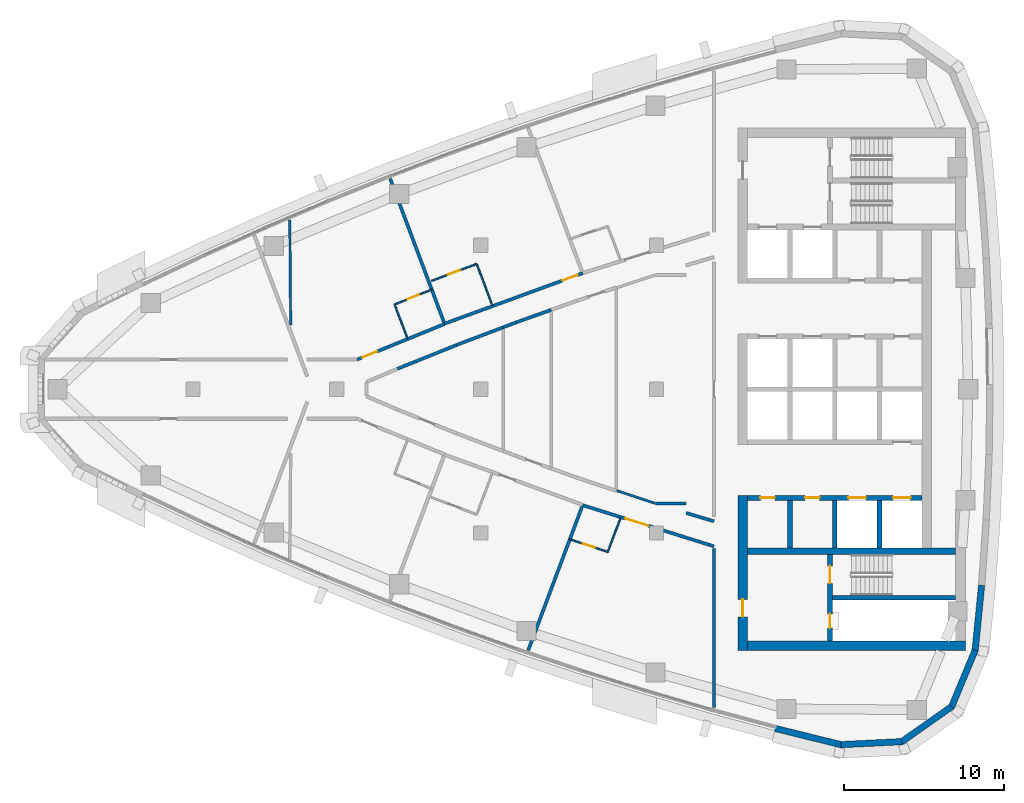
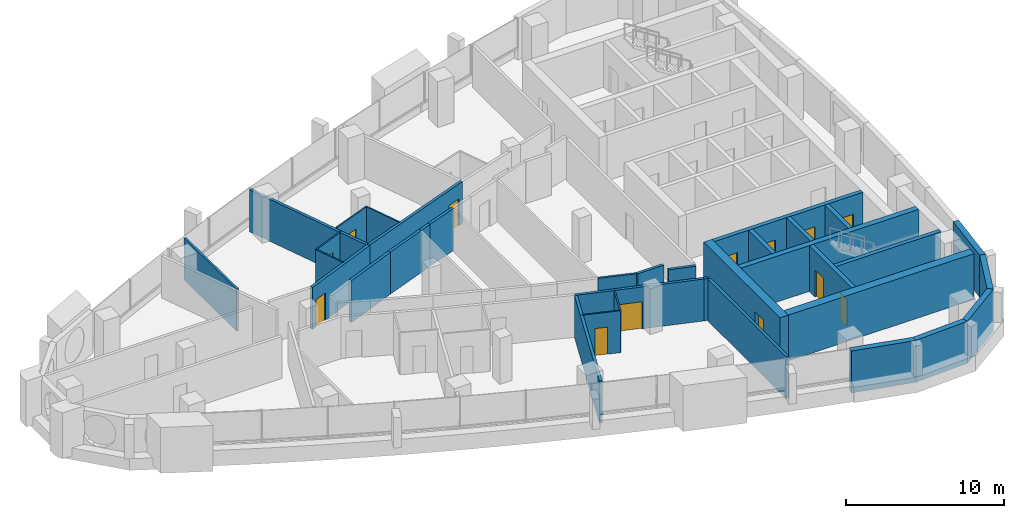
# One storey, part 9 of 15: 35 walls, 13 doors, 13 openings.
"""IFC4 building model written with IfcOpenShell, lengths in metres."""

from ifc_helpers import new_model, si_unit, direction, frame, frame_2d, origin, place, context, subcontext, project, spatial, polyline, rectangle, outline, extrude, material, layer, layer_set, type_object, element, fill, save


model = new_model("IFC4")

# Units and contexts
model_context = context("Model", 3, precision=1e-05, world=origin(), true_north=direction((0.0, 1.0)))
body_context = subcontext(model_context, "Body", "Model", "MODEL_VIEW")
ifc_project = project(units=[si_unit("LENGTHUNIT", "METRE"), si_unit("AREAUNIT", "SQUARE_METRE"), si_unit("VOLUMEUNIT", "CUBIC_METRE"), si_unit("PLANEANGLEUNIT", "RADIAN"), si_unit("MASSUNIT", "GRAM", prefix="KILO")], contexts=[model_context])

# Site, building, storey
site_placement = place(None, origin())
site = spatial("IfcSite", under=ifc_project, at=site_placement, CompositionType="ELEMENT")
building_placement = place(site_placement, origin())
building = spatial("IfcBuilding", under=site, at=building_placement, Name="Ostrand Prow Hotel Tower", CompositionType="ELEMENT")
storey_placement = place(building_placement, frame((0.0, 0.0, 242.10009765625)))
storey = spatial("IfcBuildingStorey", under=building, at=storey_placement, Name="L61", CompositionType="ELEMENT", Elevation=242.10009765625)

# Wall, openings, doors
ifc_material_1 = material(Name="Concrete C50/60", Category="concrete")
ifc_layer_1 = layer(ifc_material_1, 0.300048828125)
ifc_layer_set_1 = layer_set([ifc_layer_1], Name="Concrete C50/60")
wall_type_1 = type_object("IfcWallType", Name="Core wall 300 C50/60", PredefinedType="SHEAR", material=ifc_layer_set_1)
wall_1_placement = place(storey_placement, frame((50.699951171875, -6.800048828125, 0.0), z_axis=(0.0, 0.0, 1.0), x_axis=(1.0, 0.0, 0.0)))
wall_1 = element("IfcWall", 1, at=wall_1_placement, inside=storey, type_object=wall_type_1, Name="Core wall PW-L2-S", PredefinedType="SHEAR", context=body_context, shape_type="SweptSolid", body=[
    extrude(rectangle(XDim=10.900146484375, YDim=0.300048828125, at=frame_2d((5.4501953125, 0.0))), origin(), (0.0, 0.0, 1.0), 3.5498046875),
])
opening_1_placement = place(wall_1_placement, frame((6.300048828125, 0.0, 0.0)))
opening_1 = element("IfcOpeningElement", 2, at=opening_1_placement, cuts=wall_1, Name="Opening LD", PredefinedType="OPENING", context=body_context, shape_type="SweptSolid", body=[
    extrude(rectangle(XDim=1.10009765625, YDim=2.10009765625, at=frame_2d((0.550048828125, 1.050048828125))), frame((0.0, 0.159912109375, 0.0), z_axis=(0.0, -1.0, 0.0), x_axis=(1.0, 0.0, 0.0)), (0.0, 0.0, 1.0), 0.320068359375),
])
opening_2_placement = place(wall_1_placement, frame((9.10009765625, 0.0, 0.0)))
opening_2 = element("IfcOpeningElement", 3, at=opening_2_placement, cuts=wall_1, Name="Opening LD", PredefinedType="OPENING", context=body_context, shape_type="SweptSolid", body=[
    extrude(rectangle(XDim=1.10009765625, YDim=2.10009765625, at=frame_2d((0.550048828125, 1.050048828125))), frame((0.0, 0.159912109375, 0.0), z_axis=(0.0, -1.0, 0.0), x_axis=(1.0, 0.0, 0.0)), (0.0, 0.0, 1.0), 0.320068359375),
])
opening_3_placement = place(wall_1_placement, frame((0.800048828125, 0.0, 0.0)))
opening_3 = element("IfcOpeningElement", 4, at=opening_3_placement, cuts=wall_1, Name="Opening FD2", PredefinedType="OPENING", context=body_context, shape_type="SweptSolid", body=[
    extrude(rectangle(XDim=0.89990234375, YDim=2.10009765625, at=frame_2d((0.449951171875, 1.050048828125))), frame((0.0, 0.159912109375, 0.0), z_axis=(0.0, -1.0, 0.0), x_axis=(1.0, 0.0, 0.0)), (0.0, 0.0, 1.0), 0.320068359375),
])
opening_4_placement = place(wall_1_placement, frame((3.60009765625, 0.0, 0.0)))
opening_4 = element("IfcOpeningElement", 5, at=opening_4_placement, cuts=wall_1, Name="Opening FD2", PredefinedType="OPENING", context=body_context, shape_type="SweptSolid", body=[
    extrude(rectangle(XDim=0.89990234375, YDim=2.10009765625, at=frame_2d((0.449951171875, 1.050048828125))), frame((0.0, 0.159912109375, 0.0), z_axis=(0.0, -1.0, 0.0), x_axis=(1.0, 0.0, 0.0)), (0.0, 0.0, 1.0), 0.320068359375),
])
ifc_material_2 = material(Name="Steel fire door", Category="steel")
door_type_1 = type_object("IfcDoorType", Name="Fire door 900 EI120", OperationType="SINGLE_SWING_LEFT", PredefinedType="DOOR", material=ifc_material_2)
door_1_placement = place(opening_3_placement, origin())
door_1 = element("IfcDoor", 6, at=door_1_placement, inside=storey, type_object=door_type_1, Name="DOOR", OperationType="SINGLE_SWING_LEFT", OverallHeight=2.10009765625, OverallWidth=0.89990234375, PredefinedType="DOOR", context=body_context, shape_type="SweptSolid", body=[
    extrude(rectangle(XDim=0.89990234375, YDim=2.10009765625, at=frame_2d((0.449951171875, 1.050048828125))), frame((0.0, 0.02490234375, 0.0), z_axis=(0.0, -1.0, 0.0), x_axis=(1.0, 0.0, 0.0)), (0.0, 0.0, 1.0), 0.050048828125),
])
fill(opening_3, door_1)
door_2_placement = place(opening_4_placement, origin())
door_2 = element("IfcDoor", 7, at=door_2_placement, inside=storey, type_object=door_type_1, Name="DOOR", OperationType="SINGLE_SWING_LEFT", OverallHeight=2.10009765625, OverallWidth=0.89990234375, PredefinedType="DOOR", context=body_context, shape_type="SweptSolid", body=[
    extrude(rectangle(XDim=0.89990234375, YDim=2.10009765625, at=frame_2d((0.449951171875, 1.050048828125))), frame((0.0, 0.02490234375, 0.0), z_axis=(0.0, -1.0, 0.0), x_axis=(1.0, 0.0, 0.0)), (0.0, 0.0, 1.0), 0.050048828125),
])
fill(opening_4, door_2)
ifc_material_3 = material(Name="Stainless steel door", Category="steel")
door_type_2 = type_object("IfcDoorType", Name="Lift landing door 1100", OperationType="DOUBLE_DOOR_SLIDING", PredefinedType="DOOR", material=ifc_material_3)
door_3_placement = place(opening_1_placement, origin())
door_3 = element("IfcDoor", 8, at=door_3_placement, inside=storey, type_object=door_type_2, Name="LIFT LANDING DOOR", OperationType="DOUBLE_DOOR_SLIDING", OverallHeight=2.10009765625, OverallWidth=1.10009765625, PredefinedType="DOOR", context=body_context, shape_type="SweptSolid", body=[
    extrude(rectangle(XDim=1.10009765625, YDim=2.10009765625, at=frame_2d((0.550048828125, 1.050048828125))), frame((0.0, 0.02490234375, 0.0), z_axis=(0.0, -1.0, 0.0), x_axis=(1.0, 0.0, 0.0)), (0.0, 0.0, 1.0), 0.050048828125),
])
fill(opening_1, door_3)
door_4_placement = place(opening_2_placement, origin())
door_4 = element("IfcDoor", 9, at=door_4_placement, inside=storey, type_object=door_type_2, Name="LIFT LANDING DOOR", OperationType="DOUBLE_DOOR_SLIDING", OverallHeight=2.10009765625, OverallWidth=1.10009765625, PredefinedType="DOOR", context=body_context, shape_type="SweptSolid", body=[
    extrude(rectangle(XDim=1.10009765625, YDim=2.10009765625, at=frame_2d((0.550048828125, 1.050048828125))), frame((0.0, 0.02490234375, 0.0), z_axis=(0.0, -1.0, 0.0), x_axis=(1.0, 0.0, 0.0)), (0.0, 0.0, 1.0), 0.050048828125),
])
fill(opening_2, door_4)

# Walls
for number, where, z_axis, x_axis, name in (
    (10, (53.35009765625, -9.949951171875, 0.0), (0.0, 0.0, 1.0), (0.0, 1.0, 0.0), "Core wall PW-R1-SA"),
    (11, (56.14990234375, -9.949951171875, 0.0), (0.0, 0.0, 1.0), (0.0, 1.0, 0.0), "Core wall PW-R2-SA"),
    (12, (58.949951171875, -9.949951171875, 0.0), (0.0, 0.0, 1.0), (0.0, 1.0, 0.0), "Core wall PW-R3-SA"),
):
    element("IfcWall", number, at=place(storey_placement, frame(where, z_axis=z_axis, x_axis=x_axis)), inside=storey, type_object=wall_type_1, Name=name, PredefinedType="SHEAR", context=body_context, shape_type="SweptSolid", body=[
        extrude(rectangle(XDim=3.0, YDim=0.300048828125, at=frame_2d((1.5, 0.0))), origin(), (0.0, 0.0, 1.0), 3.5498046875),
    ])

# Wall, openings, doors
wall_2_placement = place(storey_placement, frame((55.85009765625, -15.75, 0.0), z_axis=(0.0, 0.0, 1.0), x_axis=(0.0, 1.0, 0.0)))
wall_2 = element("IfcWall", 13, at=wall_2_placement, inside=storey, type_object=wall_type_1, Name="Core wall PW-VS", PredefinedType="SHEAR", context=body_context, shape_type="SweptSolid", body=[
    extrude(rectangle(XDim=5.39990234375, YDim=0.300048828125, at=frame_2d((2.699951171875, 0.0))), origin(), (0.0, 0.0, 1.0), 3.5498046875),
])
opening_5_placement = place(wall_2_placement, frame((3.60009765625, 0.0, 0.0)))
opening_5 = element("IfcOpeningElement", 14, at=opening_5_placement, cuts=wall_2, Name="Opening FD1", PredefinedType="OPENING", context=body_context, shape_type="SweptSolid", body=[
    extrude(rectangle(XDim=1.10009765625, YDim=2.10009765625, at=frame_2d((0.550048828125, 1.050048828125))), frame((0.0, 0.159912109375, 0.0), z_axis=(0.0, -1.0, 0.0), x_axis=(1.0, 0.0, 0.0)), (0.0, 0.0, 1.0), 0.320068359375),
])
opening_6_placement = place(wall_2_placement, frame((0.800048828125, 0.0, 0.0)))
opening_6 = element("IfcOpeningElement", 15, at=opening_6_placement, cuts=wall_2, Name="Opening FD2", PredefinedType="OPENING", context=body_context, shape_type="SweptSolid", body=[
    extrude(rectangle(XDim=0.89990234375, YDim=2.10009765625, at=frame_2d((0.449951171875, 1.050048828125))), frame((0.0, 0.159912109375, 0.0), z_axis=(0.0, -1.0, 0.0), x_axis=(1.0, 0.0, 0.0)), (0.0, 0.0, 1.0), 0.320068359375),
])
ifc_material_4 = material(Name="Steel fire door", Category="steel")
door_type_3 = type_object("IfcDoorType", Name="Fire door 1100 EI120", OperationType="SINGLE_SWING_RIGHT", PredefinedType="DOOR", material=ifc_material_4)
door_5_placement = place(opening_5_placement, origin())
door_5 = element("IfcDoor", 16, at=door_5_placement, inside=storey, type_object=door_type_3, Name="FIRE DOOR", OperationType="SINGLE_SWING_RIGHT", OverallHeight=2.10009765625, OverallWidth=1.10009765625, PredefinedType="DOOR", context=body_context, shape_type="SweptSolid", body=[
    extrude(rectangle(XDim=1.10009765625, YDim=2.10009765625, at=frame_2d((0.550048828125, 1.050048828125))), frame((0.0, 0.02490234375, 0.0), z_axis=(0.0, -1.0, 0.0), x_axis=(1.0, 0.0, 0.0)), (0.0, 0.0, 1.0), 0.050048828125),
])
fill(opening_5, door_5)
door_6_placement = place(opening_6_placement, origin())
door_6 = element("IfcDoor", 17, at=door_6_placement, inside=storey, type_object=door_type_1, Name="FIRE DOOR", OperationType="SINGLE_SWING_LEFT", OverallHeight=2.10009765625, OverallWidth=0.89990234375, PredefinedType="DOOR", context=body_context, shape_type="SweptSolid", body=[
    extrude(rectangle(XDim=0.89990234375, YDim=2.10009765625, at=frame_2d((0.449951171875, 1.050048828125))), frame((0.0, 0.02490234375, 0.0), z_axis=(0.0, -1.0, 0.0), x_axis=(1.0, 0.0, 0.0)), (0.0, 0.0, 1.0), 0.050048828125),
])
fill(opening_6, door_6)

# Walls
wall_3_placement = place(storey_placement, frame((56.0, -13.050048828125, 0.0), z_axis=(0.0, 0.0, 1.0), x_axis=(1.0, 0.0, 0.0)))
element("IfcWall", 18, at=wall_3_placement, inside=storey, type_object=wall_type_1, Name="Core wall PW-ST2R", PredefinedType="SHEAR", context=body_context, shape_type="SweptSolid", body=[
    extrude(rectangle(XDim=7.719970703125, YDim=0.300048828125, at=frame_2d((3.85986328125, 0.0))), origin(), (0.0, 0.0, 1.0), 3.5498046875),
])
ifc_material_5 = material(Name="Concrete C50/60", Category="concrete")
ifc_layer_2 = layer(ifc_material_5, 0.39990234375)
ifc_layer_set_2 = layer_set([ifc_layer_2], Name="Concrete C50/60")
wall_type_2 = type_object("IfcWallType", Name="Core wall 400 C50/60", PredefinedType="SHEAR", material=ifc_layer_set_2)
wall_4_placement = place(storey_placement, frame((50.699951171875, -10.14990234375, 0.0), z_axis=(0.0, 0.0, 1.0), x_axis=(1.0, 0.0, 0.0)))
element("IfcWall", 19, at=wall_4_placement, inside=storey, type_object=wall_type_2, Name="Core wall PW-BS", PredefinedType="SHEAR", context=body_context, shape_type="SweptSolid", body=[
    extrude(rectangle(XDim=13.02001953125, YDim=0.39990234375, at=frame_2d((6.510009765625, 0.0))), origin(), (0.0, 0.0, 1.0), 3.5498046875),
])

# Wall, opening, door
ifc_material_6 = material(Name="Concrete C50/60", Category="concrete")
ifc_layer_3 = layer(ifc_material_6, 0.60009765625)
ifc_layer_set_3 = layer_set([ifc_layer_3], Name="Concrete C50/60")
wall_type_3 = type_object("IfcWallType", Name="Core wall 600 C50/60", PredefinedType="SHEAR", material=ifc_layer_set_3)
wall_5_placement = place(storey_placement, frame((50.39990234375, -16.35009765625, 0.0), z_axis=(0.0, 0.0, 1.0), x_axis=(0.0, 1.0, 0.0)))
wall_5 = element("IfcWall", 20, at=wall_5_placement, inside=storey, type_object=wall_type_3, Name="Core wall CW-W-S", PredefinedType="SHEAR", context=body_context, shape_type="SweptSolid", body=[
    extrude(rectangle(XDim=9.7001953125, YDim=0.60009765625, at=frame_2d((4.85009765625, 0.0))), origin(), (0.0, 0.0, 1.0), 3.5498046875),
])
opening_7_placement = place(wall_5_placement, frame((2.10009765625, 0.0, 0.0)))
opening_7 = element("IfcOpeningElement", 21, at=opening_7_placement, cuts=wall_5, Name="Opening FD1", PredefinedType="OPENING", context=body_context, shape_type="SweptSolid", body=[
    extrude(rectangle(XDim=1.10009765625, YDim=2.10009765625, at=frame_2d((0.550048828125, 1.050048828125))), frame((0.0, 0.31005859375, 0.0), z_axis=(0.0, -1.0, 0.0), x_axis=(1.0, 0.0, 0.0)), (0.0, 0.0, 1.0), 0.6201171875),
])
door_7_placement = place(opening_7_placement, origin())
door_7 = element("IfcDoor", 22, at=door_7_placement, inside=storey, type_object=door_type_3, Name="FIRE DOOR", OperationType="SINGLE_SWING_RIGHT", OverallHeight=2.10009765625, OverallWidth=1.10009765625, PredefinedType="DOOR", context=body_context, shape_type="SweptSolid", body=[
    extrude(rectangle(XDim=1.10009765625, YDim=2.10009765625, at=frame_2d((0.550048828125, 1.050048828125))), frame((0.0, 0.02490234375, 0.0), z_axis=(0.0, -1.0, 0.0), x_axis=(1.0, 0.0, 0.0)), (0.0, 0.0, 1.0), 0.050048828125),
])
fill(opening_7, door_7)

# Wall
wall_6_placement = place(storey_placement, frame((50.699951171875, -16.050048828125, 0.0), z_axis=(0.0, 0.0, 1.0), x_axis=(1.0, 0.0, 0.0)))
element("IfcWall", 23, at=wall_6_placement, inside=storey, type_object=wall_type_3, Name="Core wall CW-S", PredefinedType="SHEAR", context=body_context, shape_type="SweptSolid", body=[
    extrude(rectangle(XDim=13.6201171875, YDim=0.60009765625, at=frame_2d((6.81005859375, 0.0))), origin(), (0.0, 0.0, 1.0), 3.5498046875),
])

# Wall, opening, door
ifc_material_7 = material(Name="Plasterboard partition")
ifc_layer_4 = layer(ifc_material_7, 0.10009765625)
ifc_layer_set_4 = layer_set([ifc_layer_4], Name="Plasterboard partition")
wall_type_4 = type_object("IfcWallType", Name="Partition 100 bathroom wall", PredefinedType="PARTITIONING", material=ifc_layer_set_4)
wall_7_placement = place(storey_placement, frame((28.617919921875, 5.301025390625, 0.0), z_axis=(0.0, 0.0, 1.0), x_axis=(0.92761232595, 0.373544338394, 0.0)))
wall_7 = element("IfcWall", 24, at=wall_7_placement, inside=storey, type_object=wall_type_4, Name="BATHROOM WALL", PredefinedType="PARTITIONING", context=body_context, shape_type="SweptSolid", body=[
    extrude(rectangle(XDim=2.50048828125, YDim=0.10009765625, at=frame_2d((1.250244140625, 0.0))), origin(), (0.0, 0.0, 1.0), 3.25),
])
opening_8_placement = place(wall_7_placement, frame((0.85009765625, 0.0, 0.0)))
opening_8 = element("IfcOpeningElement", 25, at=opening_8_placement, cuts=wall_7, Name="Opening D2", PredefinedType="OPENING", context=body_context, shape_type="SweptSolid", body=[
    extrude(rectangle(XDim=0.800048828125, YDim=2.10009765625, at=frame_2d((0.39990234375, 1.050048828125))), frame((0.0, 0.06005859375, 0.0), z_axis=(0.0, -1.0, 0.0), x_axis=(1.0, 0.0, 0.0)), (0.0, 0.0, 1.0), 0.1201171875),
])
ifc_material_8 = material(Name="Timber door leaf", Category="wood")
door_type_4 = type_object("IfcDoorType", Name="Bathroom door 800", OperationType="SINGLE_SWING_LEFT", PredefinedType="DOOR", material=ifc_material_8)
door_8_placement = place(opening_8_placement, origin())
door_8 = element("IfcDoor", 26, at=door_8_placement, inside=storey, type_object=door_type_4, Name="DOOR", OperationType="SINGLE_SWING_LEFT", OverallHeight=2.10009765625, OverallWidth=0.800048828125, PredefinedType="DOOR", context=body_context, shape_type="SweptSolid", body=[
    extrude(rectangle(XDim=0.800048828125, YDim=2.10009765625, at=frame_2d((0.39990234375, 1.050048828125))), frame((0.0, 0.02490234375, 0.0), z_axis=(0.0, -1.0, 0.0), x_axis=(1.0, 0.0, 0.0)), (0.0, 0.0, 1.0), 0.050048828125),
])
fill(opening_8, door_8)

# Wall
wall_8_placement = place(storey_placement, frame((29.41748046875, 3.168212890625, 0.0), z_axis=(0.0, 0.0, 1.0), x_axis=(-0.351064703731, 0.936351202164, 0.0)))
element("IfcWall", 27, at=wall_8_placement, inside=storey, type_object=wall_type_4, Name="BATHROOM WALL", PredefinedType="PARTITIONING", context=body_context, shape_type="SweptSolid", body=[
    extrude(rectangle(XDim=2.277587890625, YDim=0.10009765625, at=frame_2d((1.138671875, 0.0))), origin(), (0.0, 0.0, 1.0), 3.25),
])

# Wall, opening, door
wall_9_placement = place(storey_placement, frame((30.935302734375, 6.773193359375, 0.0), z_axis=(0.0, 0.0, 1.0), x_axis=(0.934929871592, 0.354832545302, 0.0)))
wall_9 = element("IfcWall", 28, at=wall_9_placement, inside=storey, type_object=wall_type_4, Name="BATHROOM WALL", PredefinedType="PARTITIONING", context=body_context, shape_type="SweptSolid", body=[
    extrude(rectangle(XDim=3.012939453125, YDim=0.10009765625, at=frame_2d((1.50634765625, 0.0))), origin(), (0.0, 0.0, 1.0), 3.25),
])
opening_9_placement = place(wall_9_placement, frame((1.10009765625, 0.0, 0.0)))
opening_9 = element("IfcOpeningElement", 29, at=opening_9_placement, cuts=wall_9, Name="Opening D2", PredefinedType="OPENING", context=body_context, shape_type="SweptSolid", body=[
    extrude(rectangle(XDim=0.800048828125, YDim=2.10009765625, at=frame_2d((0.39990234375, 1.050048828125))), frame((0.0, 0.06005859375, 0.0), z_axis=(0.0, -1.0, 0.0), x_axis=(1.0, 0.0, 0.0)), (0.0, 0.0, 1.0), 0.1201171875),
])
door_9_placement = place(opening_9_placement, origin())
door_9 = element("IfcDoor", 30, at=door_9_placement, inside=storey, type_object=door_type_4, Name="DOOR", OperationType="SINGLE_SWING_LEFT", OverallHeight=2.10009765625, OverallWidth=0.800048828125, PredefinedType="DOOR", context=body_context, shape_type="SweptSolid", body=[
    extrude(rectangle(XDim=0.800048828125, YDim=2.10009765625, at=frame_2d((0.39990234375, 1.050048828125))), frame((0.0, 0.02490234375, 0.0), z_axis=(0.0, -1.0, 0.0), x_axis=(1.0, 0.0, 0.0)), (0.0, 0.0, 1.0), 0.050048828125),
])
fill(opening_9, door_9)

# Walls
wall_10_placement = place(storey_placement, frame((33.75244140625, 7.84228515625, 0.0), z_axis=(0.0, 0.0, 1.0), x_axis=(0.351113807562, -0.936332790272, 0.0)))
element("IfcWall", 31, at=wall_10_placement, inside=storey, type_object=wall_type_4, Name="BATHROOM WALL", PredefinedType="PARTITIONING", context=body_context, shape_type="SweptSolid", body=[
    extrude(rectangle(XDim=2.777099609375, YDim=0.10009765625, at=frame_2d((1.388671875, 0.0))), origin(), (0.0, 0.0, 1.0), 3.25),
])
wall_11_placement = place(storey_placement, frame((42.75146484375, -8.052490234375, 0.0), z_axis=(0.0, 0.0, 1.0), x_axis=(-0.351146927505, -0.936320370014, 0.0)))
element("IfcWall", 32, at=wall_11_placement, inside=storey, type_object=wall_type_4, Name="BATHROOM WALL", PredefinedType="PARTITIONING", context=body_context, shape_type="SweptSolid", body=[
    extrude(rectangle(XDim=2.2783203125, YDim=0.10009765625, at=frame_2d((1.13916015625, 0.0))), origin(), (0.0, 0.0, 1.0), 3.25),
])

# Wall, opening, door
wall_12_placement = place(storey_placement, frame((41.951416015625, -10.18603515625, 0.0), z_axis=(0.0, 0.0, 1.0), x_axis=(-0.948468383404, 0.316871781141, 0.0)))
wall_12 = element("IfcWall", 33, at=wall_12_placement, inside=storey, type_object=wall_type_4, Name="BATHROOM WALL", PredefinedType="PARTITIONING", context=body_context, shape_type="SweptSolid", body=[
    extrude(rectangle(XDim=2.501708984375, YDim=0.10009765625, at=frame_2d((1.2509765625, 0.0))), origin(), (0.0, 0.0, 1.0), 3.25),
])
opening_10_placement = place(wall_12_placement, frame((0.85009765625, 0.0, 0.0)))
opening_10 = element("IfcOpeningElement", 34, at=opening_10_placement, cuts=wall_12, Name="Opening D2", PredefinedType="OPENING", context=body_context, shape_type="SweptSolid", body=[
    extrude(rectangle(XDim=0.800048828125, YDim=2.10009765625, at=frame_2d((0.39990234375, 1.050048828125))), frame((0.0, 0.06005859375, 0.0), z_axis=(0.0, -1.0, 0.0), x_axis=(1.0, 0.0, 0.0)), (0.0, 0.0, 1.0), 0.1201171875),
])
door_10_placement = place(opening_10_placement, origin())
door_10 = element("IfcDoor", 35, at=door_10_placement, inside=storey, type_object=door_type_4, Name="DOOR", OperationType="SINGLE_SWING_LEFT", OverallHeight=2.10009765625, OverallWidth=0.800048828125, PredefinedType="DOOR", context=body_context, shape_type="SweptSolid", body=[
    extrude(rectangle(XDim=0.800048828125, YDim=2.10009765625, at=frame_2d((0.39990234375, 1.050048828125))), frame((0.0, 0.02490234375, 0.0), z_axis=(0.0, -1.0, 0.0), x_axis=(1.0, 0.0, 0.0)), (0.0, 0.0, 1.0), 0.050048828125),
])
fill(opening_10, door_10)

# Walls
ifc_material_9 = material(Name="Plasterboard partition")
ifc_layer_5 = layer(ifc_material_9, 0.14990234375)
ifc_layer_set_5 = layer_set([ifc_layer_5], Name="Plasterboard partition")
wall_type_5 = type_object("IfcWallType", Name="Partition 150 room partition", PredefinedType="PARTITIONING", material=ifc_layer_set_5)
wall_13_placement = place(storey_placement, frame((22.057373046875, 10.577880859375, 0.0), z_axis=(0.0, 0.0, 1.0), x_axis=(0.008379594055, -0.999964890585, 0.0)))
element("IfcWall", 36, at=wall_13_placement, inside=storey, type_object=wall_type_5, Name="ROOM PARTITION", PredefinedType="PARTITIONING", context=body_context, shape_type="SweptSolid", body=[
    extrude(rectangle(XDim=6.555419921875, YDim=0.14990234375, at=frame_2d((3.27783203125, 0.0))), origin(), (0.0, 0.0, 1.0), 3.25),
])
wall_14_placement = place(storey_placement, frame((44.8955078125, -7.132568359375, 0.0), z_axis=(0.0, 0.0, 1.0), x_axis=(-0.94991890936, 0.312496505006, 0.0)))
element("IfcWall", 37, at=wall_14_placement, inside=storey, type_object=wall_type_5, Name="ROOM PARTITION", PredefinedType="PARTITIONING", context=body_context, shape_type="SweptSolid", body=[
    extrude(rectangle(XDim=2.49462890625, YDim=0.14990234375, at=frame_2d((1.247314453125, 0.0))), origin(), (0.0, 0.0, 1.0), 3.25),
])

# Wall, opening, door
ifc_material_10 = material(Name="Plasterboard partition")
ifc_layer_6 = layer(ifc_material_10, 0.199951171875)
ifc_layer_set_6 = layer_set([ifc_layer_6], Name="Plasterboard partition")
wall_type_6 = type_object("IfcWallType", Name="Partition 200 corridor wall", PredefinedType="PARTITIONING", material=ifc_layer_set_6)
wall_15_placement = place(storey_placement, frame((26.265869140625, 1.85009765625, 0.0), z_axis=(0.0, 0.0, 1.0), x_axis=(0.926191125494, 0.377054371486, 0.0)))
wall_15 = element("IfcWall", 38, at=wall_15_placement, inside=storey, type_object=wall_type_6, Name="CORRIDOR WALL", PredefinedType="PARTITIONING", context=body_context, shape_type="SweptSolid", body=[
    extrude(rectangle(XDim=5.916259765625, YDim=0.199951171875, at=frame_2d((2.9580078125, 0.0))), origin(), (0.0, 0.0, 1.0), 3.25),
])
opening_11_placement = place(wall_15_placement, frame((0.35009765625, 0.0, 0.0)))
opening_11 = element("IfcOpeningElement", 39, at=opening_11_placement, cuts=wall_15, Name="Opening D1R", PredefinedType="OPENING", context=body_context, shape_type="SweptSolid", body=[
    extrude(rectangle(XDim=1.0, YDim=2.10009765625, at=frame_2d((0.5, 1.050048828125))), frame((0.0, 0.10986328125, 0.0), z_axis=(0.0, -1.0, 0.0), x_axis=(1.0, 0.0, 0.0)), (0.0, 0.0, 1.0), 0.219970703125),
])
ifc_material_11 = material(Name="Timber door leaf", Category="wood")
door_type_5 = type_object("IfcDoorType", Name="Guest room door 1000 right", OperationType="SINGLE_SWING_RIGHT", PredefinedType="DOOR", material=ifc_material_11)
door_11_placement = place(opening_11_placement, origin())
door_11 = element("IfcDoor", 40, at=door_11_placement, inside=storey, type_object=door_type_5, Name="DOOR", OperationType="SINGLE_SWING_RIGHT", OverallHeight=2.10009765625, OverallWidth=1.0, PredefinedType="DOOR", context=body_context, shape_type="SweptSolid", body=[
    extrude(rectangle(XDim=1.0, YDim=2.10009765625, at=frame_2d((0.5, 1.050048828125))), frame((0.0, 0.02490234375, 0.0), z_axis=(0.0, -1.0, 0.0), x_axis=(1.0, 0.0, 0.0)), (0.0, 0.0, 1.0), 0.050048828125),
])
fill(opening_11, door_11)

wall_16_placement = place(storey_placement, frame((40.3798828125, 7.257080078125, 0.0), z_axis=(0.0, 0.0, 1.0), x_axis=(-0.939266239759, -0.343189351305, 0.0)))
wall_16 = element("IfcWall", 41, at=wall_16_placement, inside=storey, type_object=wall_type_6, Name="CORRIDOR WALL", PredefinedType="PARTITIONING", context=body_context, shape_type="SweptSolid", body=[
    extrude(rectangle(XDim=9.200439453125, YDim=0.199951171875, at=frame_2d((4.60009765625, 0.0))), origin(), (0.0, 0.0, 1.0), 3.25),
])
opening_12_placement = place(wall_16_placement, frame((0.35009765625, 0.0, 0.0)))
opening_12 = element("IfcOpeningElement", 42, at=opening_12_placement, cuts=wall_16, Name="Opening D1R", PredefinedType="OPENING", context=body_context, shape_type="SweptSolid", body=[
    extrude(rectangle(XDim=1.0, YDim=2.10009765625, at=frame_2d((0.5, 1.050048828125))), frame((0.0, 0.10986328125, 0.0), z_axis=(0.0, -1.0, 0.0), x_axis=(1.0, 0.0, 0.0)), (0.0, 0.0, 1.0), 0.219970703125),
])
door_12_placement = place(opening_12_placement, origin())
door_12 = element("IfcDoor", 43, at=door_12_placement, inside=storey, type_object=door_type_5, Name="DOOR", OperationType="SINGLE_SWING_RIGHT", OverallHeight=2.10009765625, OverallWidth=1.0, PredefinedType="DOOR", context=body_context, shape_type="SweptSolid", body=[
    extrude(rectangle(XDim=1.0, YDim=2.10009765625, at=frame_2d((0.5, 1.050048828125))), frame((0.0, 0.02490234375, 0.0), z_axis=(0.0, -1.0, 0.0), x_axis=(1.0, 0.0, 0.0)), (0.0, 0.0, 1.0), 0.050048828125),
])
fill(opening_12, door_12)

# Walls
wall_17_placement = place(storey_placement, frame((28.795654296875, 1.276123046875, 0.0), z_axis=(0.0, 0.0, 1.0), x_axis=(0.927622894464, 0.373518092823, 0.0)))
element("IfcWall", 44, at=wall_17_placement, inside=storey, type_object=wall_type_6, Name="CORRIDOR WALL", PredefinedType="PARTITIONING", context=body_context, shape_type="SweptSolid", body=[
    extrude(rectangle(XDim=3.994873046875, YDim=0.199951171875, at=frame_2d((1.99755859375, 0.0))), origin(), (0.0, 0.0, 1.0), 3.25),
])
wall_18_placement = place(storey_placement, frame((32.50146484375, 2.768310546875, 0.0), z_axis=(0.0, 0.0, 1.0), x_axis=(0.934964318004, 0.354741770954, 0.0)))
element("IfcWall", 45, at=wall_18_placement, inside=storey, type_object=wall_type_6, Name="CORRIDOR WALL", PredefinedType="PARTITIONING", context=body_context, shape_type="SweptSolid", body=[
    extrude(rectangle(XDim=3.11083984375, YDim=0.199951171875, at=frame_2d((1.555419921875, 0.0))), origin(), (0.0, 0.0, 1.0), 3.25),
])
wall_19_placement = place(storey_placement, frame((35.409912109375, 3.871826171875, 0.0), z_axis=(0.0, 0.0, 1.0), x_axis=(0.934902750064, 0.354903998178, 0.0)))
element("IfcWall", 46, at=wall_19_placement, inside=storey, type_object=wall_type_6, Name="CORRIDOR WALL", PredefinedType="PARTITIONING", context=body_context, shape_type="SweptSolid", body=[
    extrude(rectangle(XDim=0.884033203125, YDim=0.199951171875, at=frame_2d((0.44189453125, 0.0))), origin(), (0.0, 0.0, 1.0), 3.25),
])
wall_20_placement = place(storey_placement, frame((36.236328125, 4.185546875, 0.0), z_axis=(0.0, 0.0, 1.0), x_axis=(0.941897392466, 0.335900732459, 0.0)))
element("IfcWall", 47, at=wall_20_placement, inside=storey, type_object=wall_type_6, Name="CORRIDOR WALL", PredefinedType="PARTITIONING", context=body_context, shape_type="SweptSolid", body=[
    extrude(rectangle(XDim=2.3076171875, YDim=0.199951171875, at=frame_2d((1.15380859375, 0.0))), origin(), (0.0, 0.0, 1.0), 3.25),
])

# Wall, opening, door
wall_21_placement = place(storey_placement, frame((40.3798828125, -7.257080078125, 0.0), z_axis=(0.0, 0.0, 1.0), x_axis=(0.954235234728, -0.299057046068, 0.0)))
wall_21 = element("IfcWall", 48, at=wall_21_placement, inside=storey, type_object=wall_type_6, Name="CORRIDOR WALL", PredefinedType="PARTITIONING", context=body_context, shape_type="SweptSolid", body=[
    extrude(rectangle(XDim=8.300048828125, YDim=0.199951171875, at=frame_2d((4.14990234375, 0.0))), origin(), (0.0, 0.0, 1.0), 3.25),
])
opening_13_placement = place(wall_21_placement, frame((2.800048828125, 0.0, 0.0)))
opening_13 = element("IfcOpeningElement", 49, at=opening_13_placement, cuts=wall_21, Name="Opening D15", PredefinedType="OPENING", context=body_context, shape_type="SweptSolid", body=[
    extrude(rectangle(XDim=1.5, YDim=2.10009765625, at=frame_2d((0.75, 1.050048828125))), frame((0.0, 0.10986328125, 0.0), z_axis=(0.0, -1.0, 0.0), x_axis=(1.0, 0.0, 0.0)), (0.0, 0.0, 1.0), 0.219970703125),
])
ifc_material_12 = material(Name="Timber door leaf", Category="wood")
door_type_6 = type_object("IfcDoorType", Name="Double door 1500", OperationType="DOUBLE_DOOR_SINGLE_SWING", PredefinedType="DOOR", material=ifc_material_12)
door_13_placement = place(opening_13_placement, origin())
door_13 = element("IfcDoor", 50, at=door_13_placement, inside=storey, type_object=door_type_6, Name="DOOR", OperationType="DOUBLE_DOOR_SINGLE_SWING", OverallHeight=2.10009765625, OverallWidth=1.5, PredefinedType="DOOR", context=body_context, shape_type="SweptSolid", body=[
    extrude(rectangle(XDim=1.5, YDim=2.10009765625, at=frame_2d((0.75, 1.050048828125))), frame((0.0, 0.02490234375, 0.0), z_axis=(0.0, -1.0, 0.0), x_axis=(1.0, 0.0, 0.0)), (0.0, 0.0, 1.0), 0.050048828125),
])
fill(opening_13, door_13)

# Walls
wall_22_placement = place(storey_placement, frame((48.594970703125, -8.264892578125, 0.0), z_axis=(0.0, 0.0, 1.0), x_axis=(-0.958014760688, 0.286718883759, 0.0)))
element("IfcWall", 51, at=wall_22_placement, inside=storey, type_object=wall_type_6, Name="CORRIDOR WALL", PredefinedType="PARTITIONING", context=body_context, shape_type="SweptSolid", body=[
    extrude(rectangle(XDim=1.816162109375, YDim=0.199951171875, at=frame_2d((0.908203125, 0.0))), origin(), (0.0, 0.0, 1.0), 3.25),
])
wall_23_placement = place(storey_placement, frame((46.8515625, -7.145263671875, 0.0), z_axis=(0.0, 0.0, 1.0), x_axis=(-0.999999991898, 0.000127291241, 0.0)))
element("IfcWall", 52, at=wall_23_placement, inside=storey, type_object=wall_type_6, Name="CORRIDOR WALL", PredefinedType="PARTITIONING", context=body_context, shape_type="SweptSolid", body=[
    extrude(rectangle(XDim=1.91796875, YDim=0.199951171875, at=frame_2d((0.958984375, 0.0))), origin(), (0.0, 0.0, 1.0), 3.25),
])
wall_24_placement = place(storey_placement, frame((48.300048828125, -9.7392578125, 0.0), z_axis=(0.0, 0.0, 1.0), x_axis=(0.949310105444, -0.314341094518, 0.0)))
element("IfcWall", 53, at=wall_24_placement, inside=storey, type_object=wall_type_6, Name="CORRIDOR WALL", PredefinedType="PARTITIONING", context=body_context, shape_type="SweptSolid", body=[
    extrude(rectangle(XDim=0.310791015625, YDim=0.199951171875, at=frame_2d((0.1552734375, 0.0))), origin(), (0.0, 0.0, 1.0), 3.25),
])
wall_25_placement = place(storey_placement, frame((48.594970703125, -9.95703125, 0.0), z_axis=(0.0, 0.0, 1.0), x_axis=(0.0, -1.0, 0.0)))
element("IfcWall", 54, at=wall_25_placement, inside=storey, type_object=wall_type_6, Name="CORRIDOR WALL", PredefinedType="PARTITIONING", context=body_context, shape_type="SweptSolid", body=[
    extrude(rectangle(XDim=9.947265625, YDim=0.199951171875, at=frame_2d((4.9736328125, 0.0))), origin(), (0.0, 0.0, 1.0), 3.25),
])
ifc_material_13 = material(Name="Plasterboard partition")
ifc_layer_7 = layer(ifc_material_13, 0.199951171875)
ifc_layer_set_7 = layer_set([ifc_layer_7], Name="Plasterboard partition")
wall_type_7 = type_object("IfcWallType", Name="Partition 200 key partition", PredefinedType="PARTITIONING", material=ifc_layer_set_7)
wall_26_placement = place(storey_placement, frame((31.745361328125, 4.080810546875, 0.0), z_axis=(0.0, 0.0, 1.0), x_axis=(-0.351126198992, 0.936328143538, 0.0)))
element("IfcWall", 55, at=wall_26_placement, inside=storey, type_object=wall_type_7, Name="KEY PARTITION", PredefinedType="PARTITIONING", context=body_context, shape_type="SweptSolid", body=[
    extrude(rectangle(XDim=9.703125, YDim=0.199951171875, at=frame_2d((4.8515625, 0.0))), origin(), (0.0, 0.0, 1.0), 3.25),
])
wall_27_placement = place(storey_placement, frame((36.978759765625, -16.326904296875, 0.0), z_axis=(0.0, 0.0, 1.0), x_axis=(0.351098633881, 0.936338480084, 0.0)))
element("IfcWall", 56, at=wall_27_placement, inside=storey, type_object=wall_type_7, Name="KEY PARTITION", PredefinedType="PARTITIONING", context=body_context, shape_type="SweptSolid", body=[
    extrude(rectangle(XDim=9.70654296875, YDim=0.199951171875, at=frame_2d((4.853271484375, 0.0))), origin(), (0.0, 0.0, 1.0), 3.25),
])
ifc_material_14 = material(Name="Precast concrete C40/50", Category="concrete")
ifc_layer_8 = layer(ifc_material_14, 0.39990234375)
ifc_layer_set_8 = layer_set([ifc_layer_8], Name="Precast concrete C40/50")
wall_type_8 = type_object("IfcWallType", Name="Stone-faced precast wall 400 mm", PredefinedType="NOTDEFINED", material=ifc_layer_set_8)
wall_28_placement = place(storey_placement, frame((52.440673828125, -21.229736328125, 0.0), z_axis=(0.0, 0.0, 1.0), x_axis=(0.970902342456, -0.23947576373, 0.0)))
element("IfcWall", 57, at=wall_28_placement, inside=storey, type_object=wall_type_8, Name="Stone-faced wall back 1", PredefinedType="NOTDEFINED", context=body_context, shape_type="SweptSolid", body=[
    extrude(outline(polyline([(0.0, -0.199951171875), (4.255126953125, -0.199951171875), (4.196533203125, 0.199951171875), (0.0, 0.199951171875), (0.0, -0.199951171875)])), origin(), (0.0, 0.0, 1.0), 3.25),
])
wall_29_placement = place(storey_placement, frame((56.54345703125, -22.24169921875, 0.0), z_axis=(0.0, 0.0, 1.0), x_axis=(0.998758875872, 0.049806705046, 0.0)))
element("IfcWall", 58, at=wall_29_placement, inside=storey, type_object=wall_type_8, Name="Stone-faced wall back 2", PredefinedType="NOTDEFINED", context=body_context, shape_type="SweptSolid", body=[
    extrude(outline(polyline([(-0.029296875, -0.199951171875), (3.871337890625, -0.199951171875), (3.755615234375, 0.199951171875), (0.029296875, 0.199951171875), (-0.029296875, -0.199951171875)])), origin(), (0.0, 0.0, 1.0), 3.25),
])
wall_30_placement = place(storey_placement, frame((60.352294921875, -22.0517578125, 0.0), z_axis=(0.0, 0.0, 1.0), x_axis=(0.817942545532, 0.575299915009, 0.0)))
element("IfcWall", 59, at=wall_30_placement, inside=storey, type_object=wall_type_8, Name="Stone-faced wall back 3", PredefinedType="NOTDEFINED", context=body_context, shape_type="SweptSolid", body=[
    extrude(outline(polyline([(-0.057861328125, -0.199951171875), (3.871337890625, -0.199951171875), (3.755615234375, 0.199951171875), (0.057861328125, 0.199951171875), (-0.057861328125, -0.199951171875)])), origin(), (0.0, 0.0, 1.0), 3.25),
])
wall_31_placement = place(storey_placement, frame((63.471435546875, -19.85791015625, 0.0), z_axis=(0.0, 0.0, 1.0), x_axis=(0.3844335483, 0.923152667191, 0.0)))
element("IfcWall", 60, at=wall_31_placement, inside=storey, type_object=wall_type_8, Name="Stone-faced wall back 4", PredefinedType="NOTDEFINED", context=body_context, shape_type="SweptSolid", body=[
    extrude(outline(polyline([(-0.057861328125, -0.199951171875), (3.84326171875, -0.199951171875), (3.78369140625, 0.199951171875), (0.057861328125, 0.199951171875), (-0.057861328125, -0.199951171875)])), origin(), (0.0, 0.0, 1.0), 3.25),
])
wall_32_placement = place(storey_placement, frame((64.9375, -16.33740234375, 0.0), z_axis=(0.0, 0.0, 1.0), x_axis=(0.098718218066, 0.995115427185, 0.0)))
element("IfcWall", 61, at=wall_32_placement, inside=storey, type_object=wall_type_8, Name="Stone-faced wall back 5", PredefinedType="NOTDEFINED", context=body_context, shape_type="SweptSolid", body=[
    extrude(outline(polyline([(-0.02978515625, -0.199951171875), (4.095703125, -0.199951171875), (4.09033203125, 0.199951171875), (0.02978515625, 0.199951171875), (-0.02978515625, -0.199951171875)])), origin(), (0.0, 0.0, 1.0), 3.25),
])

save(model, "model.ifc")
